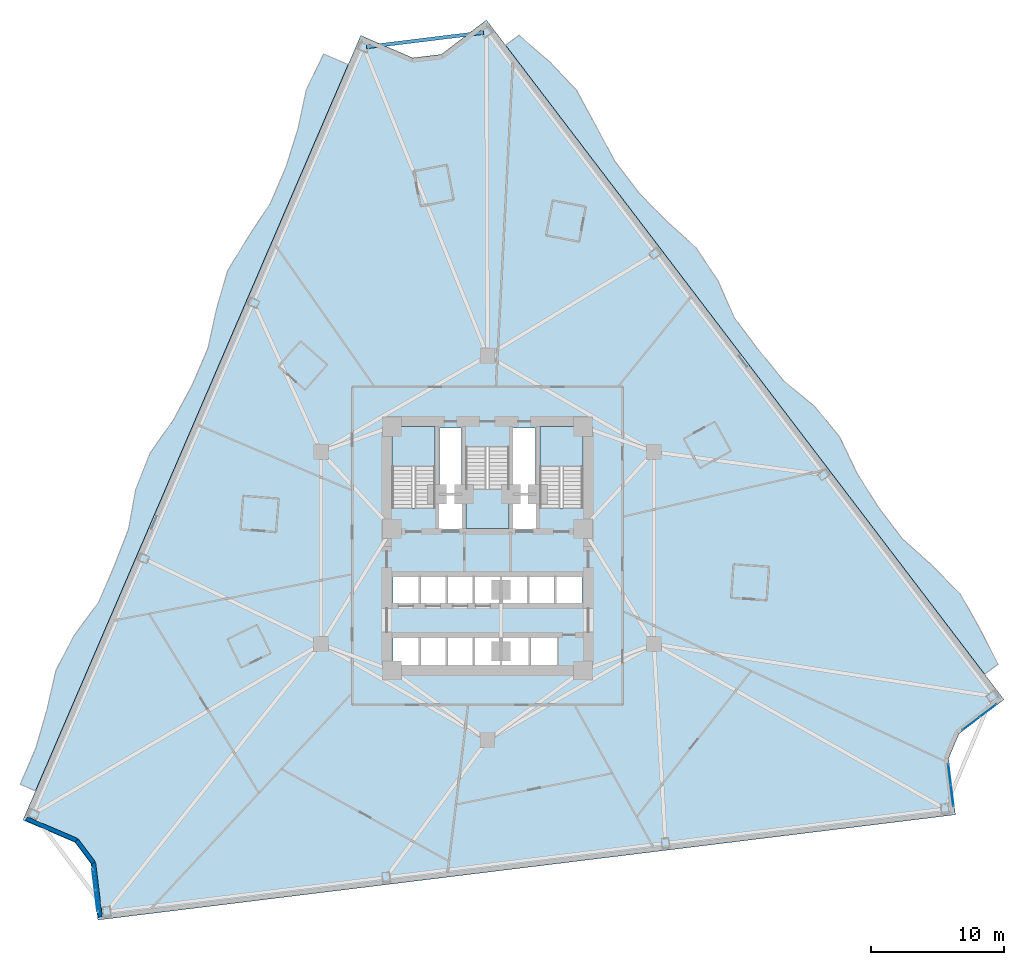
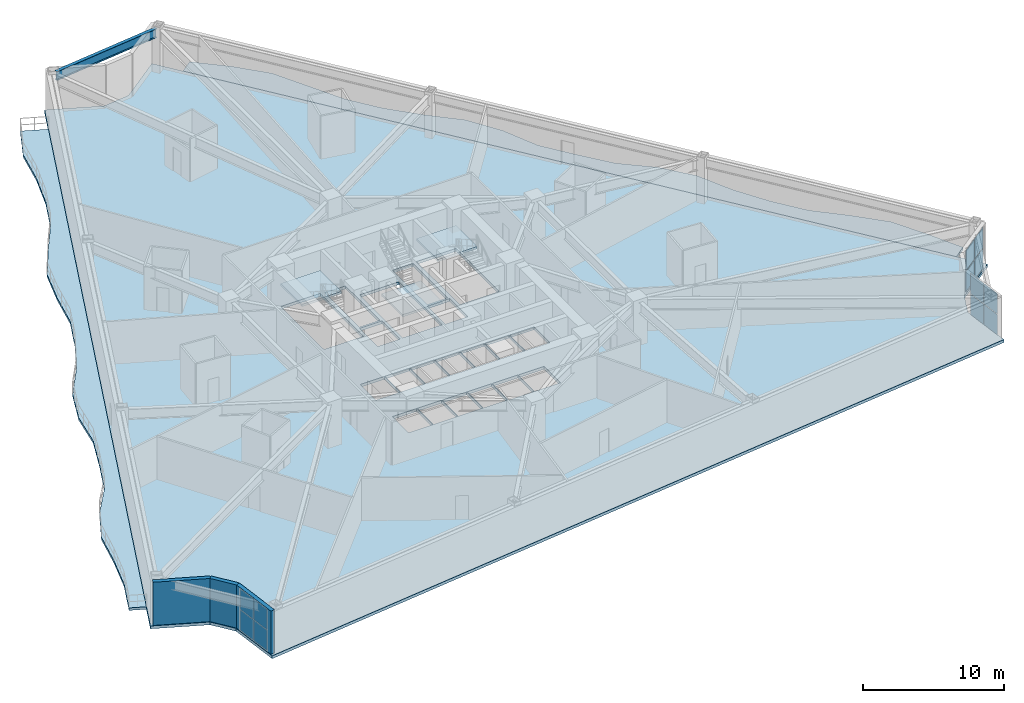
# One storey, part 5 of 14: 12 plates, 6 slabs, 3 walls, 1 beam, 6 elements without a shape of their own.
"""IFC4 building model written with IfcOpenShell, lengths in metres."""

from ifc_helpers import new_model, si_unit, direction, frame, frame_2d, origin, origin_2d, place, context, subcontext, project, spatial, polyline, rectangle, i_section, outline, extrude, material, layer, layer_set, material_profile, profile_set, type_object, element, aggregate, save


model = new_model("IFC4")

# Units and contexts
model_context = context("Model", 3, precision=1e-05, world=origin(), true_north=direction((0.0, 1.0)))
body_context = subcontext(model_context, "Body", "Model", "MODEL_VIEW")
ifc_project = project(units=[si_unit("LENGTHUNIT", "METRE"), si_unit("AREAUNIT", "SQUARE_METRE"), si_unit("VOLUMEUNIT", "CUBIC_METRE"), si_unit("PLANEANGLEUNIT", "RADIAN"), si_unit("MASSUNIT", "GRAM", prefix="KILO")], contexts=[model_context])

# Site, building, storey
site_placement = place(None, origin())
site = spatial("IfcSite", under=ifc_project, at=site_placement, CompositionType="ELEMENT")
building_placement = place(site_placement, origin())
building = spatial("IfcBuilding", under=site, at=building_placement, Name="Apsidion Concourse Tower", CompositionType="ELEMENT")
storey_placement = place(building_placement, frame((0.0, 0.0, 79.0)))
storey = spatial("IfcBuildingStorey", under=building, at=storey_placement, Name="L17", CompositionType="ELEMENT", Elevation=79.0)

# Beam
ifc_material_1 = material(Name="Structural steel ASTM A992 Grade 50", Category="steel")
ifc_material_profile = material_profile(ifc_material_1, i_section(OverallWidth=0.26806640625, OverallDepth=0.77001953125, WebThickness=0.015625, FlangeThickness=0.025390625, at=origin_2d()), Name="W30X132")
ifc_profile_set = profile_set([ifc_material_profile], Name="Structural steel ASTM A992 Grade 50")
beam_type = type_object("IfcBeamType", Name="BM-SP-W30", PredefinedType="SPANDREL", material=ifc_profile_set)
beam_placement = place(storey_placement, frame((-0.290771484375, 38.888427734375, 3.364990234375), z_axis=(-0.992547646047, -0.121857171831, 0.0), x_axis=(0.121857171831, -0.992547646047, 0.0)))
element("IfcBeam", 1, at=beam_placement, inside=storey, type_object=beam_type, Name="L17 Perimeter Spandrel Girder SP-12", PredefinedType="SPANDREL", context=body_context, shape_type="SweptSolid", body=[
    extrude(i_section(OverallWidth=0.26806640625, OverallDepth=0.77001953125, WebThickness=0.015625, FlangeThickness=0.025390625, at=origin_2d()), origin(), (0.0, 0.0, 1.0), 8.901611328125),
])

# Curtain wall, plates
ifc_material_2 = material(Name="Insulated laminated low-E glass", Category="glass")
ifc_layer_1 = layer(ifc_material_2, 0.219970703125)
ifc_layer_set_1 = layer_set([ifc_layer_1], Name="Insulated laminated low-E glass")
curtain_wall_type = type_object("IfcCurtainWallType", Name="CW-SYS-04", PredefinedType="NOTDEFINED", material=ifc_layer_set_1)
curtain_wall_1_placement = place(storey_placement, origin())
curtain_wall_1 = element("IfcCurtainWall", 2, at=curtain_wall_1_placement, inside=storey, type_object=curtain_wall_type, Name="L17 Corner Lounge Box Curtain Wall 2", PredefinedType="NOTDEFINED")
ifc_layer_2 = layer(ifc_material_2, 0.031982421875)
ifc_layer_set_2 = layer_set([ifc_layer_2], Name="Insulated laminated low-E glass")
plate_type = type_object("IfcPlateType", Name="CWP-GLZ-32", PredefinedType="CURTAIN_PANEL", material=ifc_layer_set_2)
plate_1_placement = place(storey_placement, frame((37.77685546875, -12.270263671875, 0.06494140625), z_axis=(0.0, 0.0, 1.0), x_axis=(-0.795556126473, -0.605879897035, 0.0)))
plate_1 = element("IfcPlate", 3, at=plate_1_placement, type_object=plate_type, Name="CW-04 panel 1.1", PredefinedType="CURTAIN_PANEL", context=body_context, shape_type="SweptSolid", body=[
    extrude(rectangle(XDim=1.5537109375, YDim=0.031982421875, at=origin_2d()), origin(), (0.0, 0.0, 1.0), 1.75244140625),
])
plate_2_placement = place(storey_placement, frame((37.77685546875, -12.270263671875, 1.882568359375), z_axis=(0.0, 0.0, 1.0), x_axis=(-0.795556126473, -0.605879897035, 0.0)))
plate_2 = element("IfcPlate", 4, at=plate_2_placement, type_object=plate_type, Name="CW-04 panel 1.2", PredefinedType="CURTAIN_PANEL", context=body_context, shape_type="SweptSolid", body=[
    extrude(rectangle(XDim=1.5537109375, YDim=0.031982421875, at=origin_2d()), origin(), (0.0, 0.0, 1.0), 1.75244140625),
])
plate_3_placement = place(storey_placement, frame((36.489013671875, -13.251220703125, 0.06494140625), z_axis=(0.0, 0.0, 1.0), x_axis=(-0.795556126473, -0.605879897035, 0.0)))
plate_3 = element("IfcPlate", 5, at=plate_3_placement, type_object=plate_type, Name="CW-04 panel 2.1", PredefinedType="CURTAIN_PANEL", context=body_context, shape_type="SweptSolid", body=[
    extrude(rectangle(XDim=1.5537109375, YDim=0.031982421875, at=origin_2d()), origin(), (0.0, 0.0, 1.0), 1.75244140625),
])
plate_4_placement = place(storey_placement, frame((36.489013671875, -13.251220703125, 1.882568359375), z_axis=(0.0, 0.0, 1.0), x_axis=(-0.795556126473, -0.605879897035, 0.0)))
plate_4 = element("IfcPlate", 6, at=plate_4_placement, type_object=plate_type, Name="CW-04 panel 2.2", PredefinedType="CURTAIN_PANEL", context=body_context, shape_type="SweptSolid", body=[
    extrude(rectangle(XDim=1.5537109375, YDim=0.031982421875, at=origin_2d()), origin(), (0.0, 0.0, 1.0), 1.75244140625),
])
aggregate(curtain_wall_1, [plate_1, plate_2, plate_3, plate_4])

curtain_wall_2_placement = place(storey_placement, origin())
curtain_wall_2 = element("IfcCurtainWall", 7, at=curtain_wall_2_placement, inside=storey, type_object=curtain_wall_type, Name="L17 Corner Lounge Box Curtain Wall 4", PredefinedType="NOTDEFINED")
plate_5_placement = place(storey_placement, frame((34.86962890625, -17.09326171875, 0.06494140625), z_axis=(0.0, 0.0, 1.0), x_axis=(0.121876648162, -0.992545254703, 0.0)))
plate_5 = element("IfcPlate", 8, at=plate_5_placement, type_object=plate_type, Name="CW-04 panel 1.1", PredefinedType="CURTAIN_PANEL", context=body_context, shape_type="SweptSolid", body=[
    extrude(rectangle(XDim=1.5537109375, YDim=0.031982421875, at=origin_2d()), origin(), (0.0, 0.0, 1.0), 1.75244140625),
])
plate_6_placement = place(storey_placement, frame((34.86962890625, -17.09326171875, 1.882568359375), z_axis=(0.0, 0.0, 1.0), x_axis=(0.121876648162, -0.992545254703, 0.0)))
plate_6 = element("IfcPlate", 9, at=plate_6_placement, type_object=plate_type, Name="CW-04 panel 1.2", PredefinedType="CURTAIN_PANEL", context=body_context, shape_type="SweptSolid", body=[
    extrude(rectangle(XDim=1.5537109375, YDim=0.031982421875, at=origin_2d()), origin(), (0.0, 0.0, 1.0), 1.75244140625),
])
plate_7_placement = place(storey_placement, frame((35.06689453125, -18.699951171875, 0.06494140625), z_axis=(0.0, 0.0, 1.0), x_axis=(0.121876648162, -0.992545254703, 0.0)))
plate_7 = element("IfcPlate", 10, at=plate_7_placement, type_object=plate_type, Name="CW-04 panel 2.1", PredefinedType="CURTAIN_PANEL", context=body_context, shape_type="SweptSolid", body=[
    extrude(rectangle(XDim=1.5537109375, YDim=0.031982421875, at=origin_2d()), origin(), (0.0, 0.0, 1.0), 1.75244140625),
])
plate_8_placement = place(storey_placement, frame((35.06689453125, -18.699951171875, 1.882568359375), z_axis=(0.0, 0.0, 1.0), x_axis=(0.121876648162, -0.992545254703, 0.0)))
plate_8 = element("IfcPlate", 11, at=plate_8_placement, type_object=plate_type, Name="CW-04 panel 2.2", PredefinedType="CURTAIN_PANEL", context=body_context, shape_type="SweptSolid", body=[
    extrude(rectangle(XDim=1.5537109375, YDim=0.031982421875, at=origin_2d()), origin(), (0.0, 0.0, 1.0), 1.75244140625),
])
aggregate(curtain_wall_2, [plate_5, plate_6, plate_7, plate_8])

curtain_wall_3_placement = place(storey_placement, origin())
curtain_wall_3 = element("IfcCurtainWall", 12, at=curtain_wall_3_placement, inside=storey, type_object=curtain_wall_type, Name="L17 Corner Lounge Box Curtain Wall 6", PredefinedType="NOTDEFINED")
plate_9_placement = place(storey_placement, frame((-29.50146484375, -26.6279296875, 0.06494140625), z_axis=(0.0, 0.0, 1.0), x_axis=(-0.121880311182, 0.992544804906, 0.0)))
plate_9 = element("IfcPlate", 13, at=plate_9_placement, type_object=plate_type, Name="CW-04 panel 1.1", PredefinedType="CURTAIN_PANEL", context=body_context, shape_type="SweptSolid", body=[
    extrude(rectangle(XDim=1.5537109375, YDim=0.031982421875, at=origin_2d()), origin(), (0.0, 0.0, 1.0), 1.75244140625),
])
plate_10_placement = place(storey_placement, frame((-29.50146484375, -26.6279296875, 1.882568359375), z_axis=(0.0, 0.0, 1.0), x_axis=(-0.121880311182, 0.992544804906, 0.0)))
plate_10 = element("IfcPlate", 14, at=plate_10_placement, type_object=plate_type, Name="CW-04 panel 1.2", PredefinedType="CURTAIN_PANEL", context=body_context, shape_type="SweptSolid", body=[
    extrude(rectangle(XDim=1.5537109375, YDim=0.031982421875, at=origin_2d()), origin(), (0.0, 0.0, 1.0), 1.75244140625),
])
plate_11_placement = place(storey_placement, frame((-29.69873046875, -25.021240234375, 0.06494140625), z_axis=(0.0, 0.0, 1.0), x_axis=(-0.121880311182, 0.992544804906, 0.0)))
plate_11 = element("IfcPlate", 15, at=plate_11_placement, type_object=plate_type, Name="CW-04 panel 2.1", PredefinedType="CURTAIN_PANEL", context=body_context, shape_type="SweptSolid", body=[
    extrude(rectangle(XDim=1.5537109375, YDim=0.031982421875, at=origin_2d()), origin(), (0.0, 0.0, 1.0), 1.75244140625),
])
plate_12_placement = place(storey_placement, frame((-29.69873046875, -25.021240234375, 1.882568359375), z_axis=(0.0, 0.0, 1.0), x_axis=(-0.121880311182, 0.992544804906, 0.0)))
plate_12 = element("IfcPlate", 16, at=plate_12_placement, type_object=plate_type, Name="CW-04 panel 2.2", PredefinedType="CURTAIN_PANEL", context=body_context, shape_type="SweptSolid", body=[
    extrude(rectangle(XDim=1.5537109375, YDim=0.031982421875, at=origin_2d()), origin(), (0.0, 0.0, 1.0), 1.75244140625),
])
aggregate(curtain_wall_3, [plate_9, plate_10, plate_11, plate_12])

# Slabs
ifc_material_3 = material(Name="Concrete C50/60", Category="concrete")
ifc_layer_3 = layer(ifc_material_3, 0.219970703125)
ifc_layer_set_3 = layer_set([ifc_layer_3], Name="Concrete C50/60")
slab_type_1 = type_object("IfcSlabType", Name="SL-BAL-220", PredefinedType="FLOOR", material=ifc_layer_set_3)
slab_1_placement = place(storey_placement, frame((0.0, 0.0, -0.219970703125)))
element("IfcSlab", 17, at=slab_1_placement, inside=storey, type_object=slab_type_1, Name="L17 Face 3 Rippling Balcony Slab", PredefinedType="FLOOR", context=body_context, shape_type="SweptSolid", body=[
    extrude(outline(polyline([(37.5224609375, -9.535400390625), (35.715087890625, -7.162353515625), (33.907958984375, -4.789306640625), (32.1005859375, -2.416015625), (30.29345703125, -0.04296875), (28.486083984375, 2.330078125), (26.6787109375, 4.703125), (24.87158203125, 7.076171875), (23.064208984375, 9.44921875), (21.2568359375, 11.822509765625), (19.44970703125, 14.195556640625), (17.642333984375, 16.568603515625), (15.835205078125, 18.941650390625), (14.02783203125, 21.314697265625), (12.220458984375, 23.687744140625), (10.4130859375, 26.060791015625), (8.60595703125, 28.43408203125), (6.798583984375, 30.80712890625), (4.991455078125, 33.18017578125), (3.18408203125, 35.55322265625), (1.376708984375, 37.926513671875), (2.371337890625, 38.68359375), (4.67431640625, 36.68798828125), (6.73779296875, 34.51025390625), (8.174072265625, 31.8544921875), (9.600341796875, 29.19140625), (11.40771484375, 26.818359375), (13.502197265625, 24.663818359375), (15.754150390625, 22.62939453125), (17.4033203125, 20.135986328125), (18.642822265625, 17.33056640625), (20.444091796875, 14.952880859375), (22.3212890625, 12.633056640625), (24.68212890625, 10.681396484375), (26.572509765625, 8.37158203125), (27.89111328125, 5.62646484375), (29.48046875, 3.08740234375), (31.287841796875, 0.71435546875), (33.541259765625, -1.319091796875), (35.658203125, -3.456298828125), (37.14306640625, -6.074951171875), (38.516845703125, -8.778076171875), (37.5224609375, -9.535400390625)])), origin(), (0.0, 0.0, 1.0), 0.219970703125),
])
slab_2_placement = place(storey_placement, frame((0.0, 0.0, -0.219970703125)))
element("IfcSlab", 18, at=slab_2_placement, inside=storey, type_object=slab_type_1, Name="L17 Face 1 Rippling Balcony Slab", PredefinedType="FLOOR", context=body_context, shape_type="SweptSolid", body=[
    extrude(outline(polyline([(-10.510986328125, 36.466796875), (-11.690673828125, 33.726806640625), (-12.8701171875, 30.987060546875), (-14.049560546875, 28.247314453125), (-15.22900390625, 25.50732421875), (-16.40869140625, 22.767578125), (-17.588134765625, 20.02783203125), (-18.767578125, 17.2880859375), (-19.947021484375, 14.548095703125), (-21.126708984375, 11.808349609375), (-22.30615234375, 9.068603515625), (-23.485595703125, 6.32861328125), (-24.6650390625, 3.5888671875), (-25.844482421875, 0.84912109375), (-27.024169921875, -1.890869140625), (-28.20361328125, -4.630615234375), (-29.383056640625, -7.370361328125), (-30.5625, -10.110107421875), (-31.7421875, -12.85009765625), (-32.921630859375, -15.58984375), (-34.10107421875, -18.32958984375), (-35.249267578125, -17.83544921875), (-34.069580078125, -15.095703125), (-33.23779296875, -12.206298828125), (-32.560302734375, -9.250244140625), (-31.181396484375, -6.59619140625), (-29.351806640625, -4.13623046875), (-28.172119140625, -1.396484375), (-27.088623046875, 1.384521484375), (-26.54345703125, 4.3974609375), (-25.4423828125, 7.171142578125), (-23.689697265625, 9.664306640625), (-22.274658203125, 12.302490234375), (-21.09521484375, 15.04248046875), (-20.4453125, 18.01025390625), (-19.6083984375, 20.8974609375), (-18.0419921875, 23.470703125), (-16.377197265625, 26.001708984375), (-15.19775390625, 28.741455078125), (-14.3017578125, 31.603515625), (-13.66748046875, 34.577880859375), (-12.35693359375, 37.26123046875), (-10.510986328125, 36.466796875)])), origin(), (0.0, 0.0, 1.0), 0.219970703125),
])
ifc_layer_4 = layer(ifc_material_3, 0.25)
ifc_layer_set_4 = layer_set([ifc_layer_4], Name="Concrete C50/60")
slab_type_2 = type_object("IfcSlabType", Name="SL-FLR-250", PredefinedType="FLOOR", material=ifc_layer_set_4)
slab_3_placement = place(storey_placement, frame((0.0, 0.0, -0.25)))
element("IfcSlab", 19, at=slab_3_placement, inside=storey, type_object=slab_type_2, Name="L17 Structural Floor Slab", PredefinedType="FLOOR", context=body_context, shape_type="SweptSolid", body=[
    extrude(outline(polyline([(-0.077392578125, 39.835693359375), (-3.478271484375, 37.24560546875), (-5.6357421875, 36.980712890625), (-9.56201171875, 38.671142578125), (-35.050048828125, -20.5341796875), (-31.123779296875, -22.224365234375), (-29.914794921875, -23.83740234375), (-29.393798828125, -28.080078125), (35.313720703125, -20.13525390625), (34.792724609375, -15.89208984375), (35.57568359375, -14.03466796875), (38.9765625, -11.444580078125), (-0.077392578125, 39.835693359375)]), holes=[polyline([(-3.949951171875, 3.0), (-3.949951171875, 9.14990234375), (-7.199951171875, 9.14990234375), (-7.199951171875, 3.0), (-3.949951171875, 3.0)]), polyline([(7.199951171875, 3.0), (7.199951171875, 9.14990234375), (3.949951171875, 9.14990234375), (3.949951171875, 3.0), (7.199951171875, 3.0)]), polyline([(-1.625, 7.60009765625), (-1.625, 1.449951171875), (1.625, 1.449951171875), (1.625, 7.60009765625), (-1.625, 7.60009765625)]), polyline([(-7.14501953125, -4.300048828125), (-5.155029296875, -4.300048828125), (-5.155029296875, -2.050048828125), (-7.14501953125, -2.050048828125), (-7.14501953125, -4.300048828125)]), polyline([(-5.094970703125, -4.300048828125), (-3.10498046875, -4.300048828125), (-3.10498046875, -2.050048828125), (-5.094970703125, -2.050048828125), (-5.094970703125, -4.300048828125)]), polyline([(-3.044921875, -4.300048828125), (-1.054931640625, -4.300048828125), (-1.054931640625, -2.050048828125), (-3.044921875, -2.050048828125), (-3.044921875, -4.300048828125)]), polyline([(-0.9951171875, -4.300048828125), (0.9951171875, -4.300048828125), (0.9951171875, -2.050048828125), (-0.9951171875, -2.050048828125), (-0.9951171875, -4.300048828125)]), polyline([(1.054931640625, -4.300048828125), (3.044921875, -4.300048828125), (3.044921875, -2.050048828125), (1.054931640625, -2.050048828125), (1.054931640625, -4.300048828125)]), polyline([(3.10498046875, -4.300048828125), (5.094970703125, -4.300048828125), (5.094970703125, -2.050048828125), (3.10498046875, -2.050048828125), (3.10498046875, -4.300048828125)]), polyline([(5.155029296875, -4.300048828125), (7.14501953125, -4.300048828125), (7.14501953125, -2.050048828125), (5.155029296875, -2.050048828125), (5.155029296875, -4.300048828125)]), polyline([(-7.14501953125, -8.949951171875), (-5.155029296875, -8.949951171875), (-5.155029296875, -6.64990234375), (-7.14501953125, -6.64990234375), (-7.14501953125, -8.949951171875)]), polyline([(-5.094970703125, -8.949951171875), (-3.10498046875, -8.949951171875), (-3.10498046875, -6.64990234375), (-5.094970703125, -6.64990234375), (-5.094970703125, -8.949951171875)]), polyline([(-3.044921875, -8.949951171875), (-1.054931640625, -8.949951171875), (-1.054931640625, -6.64990234375), (-3.044921875, -6.64990234375), (-3.044921875, -8.949951171875)]), polyline([(-0.9951171875, -8.949951171875), (0.9951171875, -8.949951171875), (0.9951171875, -6.64990234375), (-0.9951171875, -6.64990234375), (-0.9951171875, -8.949951171875)]), polyline([(1.044921875, -9.0), (3.155029296875, -9.0), (3.155029296875, -6.64990234375), (1.044921875, -6.64990234375), (1.044921875, -9.0)]), polyline([(3.195068359375, -9.0), (5.304931640625, -9.0), (5.304931640625, -6.64990234375), (3.195068359375, -6.64990234375), (3.195068359375, -9.0)]), polyline([(-3.7099609375, 1.39990234375), (-1.85009765625, 1.39990234375), (-1.85009765625, 4.0), (-3.7099609375, 4.0), (-3.7099609375, 1.39990234375)]), polyline([(1.85009765625, 1.39990234375), (3.7099609375, 1.39990234375), (3.7099609375, 4.0), (1.85009765625, 4.0), (1.85009765625, 1.39990234375)]), polyline([(-3.6201171875, 4.14990234375), (-1.93994140625, 4.14990234375), (-1.93994140625, 9.050048828125), (-3.6201171875, 9.050048828125), (-3.6201171875, 4.14990234375)]), polyline([(1.93994140625, 4.14990234375), (3.6201171875, 4.14990234375), (3.6201171875, 9.050048828125), (1.93994140625, 9.050048828125), (1.93994140625, 4.14990234375)])]), origin(), (0.0, 0.0, 1.0), 0.25),
])

# Stair, slab
ifc_material_4 = material(Name="Precast concrete C40/50", Category="concrete")
stair_type = type_object("IfcStairType", Name="ST-DL-1550", PredefinedType="HALF_TURN_STAIR", material=ifc_material_4)
stair_1_placement = place(storey_placement, origin())
stair_1 = element("IfcStair", 20, at=stair_1_placement, inside=storey, type_object=stair_type, Name="L17 Protected Core Exit Stair ST1", PredefinedType="HALF_TURN_STAIR")
ifc_layer_5 = layer(ifc_material_3, 0.199951171875)
ifc_layer_set_5 = layer_set([ifc_layer_5], Name="Concrete C50/60")
slab_type_3 = type_object("IfcSlabType", Name="SL-ST-LAND-200", PredefinedType="LANDING", material=ifc_layer_set_5)
slab_4_placement = place(storey_placement, frame((0.0, 0.0, 1.800048828125)))
slab_4 = element("IfcSlab", 21, at=slab_4_placement, type_object=slab_type_3, Name="ST1 landing 1", PredefinedType="LANDING", context=body_context, shape_type="SweptSolid", body=[
    extrude(outline(polyline([(-3.949951171875, 6.135009765625), (-3.949951171875, 9.14990234375), (-7.199951171875, 9.14990234375), (-7.199951171875, 6.135009765625), (-3.949951171875, 6.135009765625)])), origin(), (0.0, 0.0, 1.0), 0.199951171875),
])
aggregate(stair_1, [slab_4])

stair_2_placement = place(storey_placement, origin())
stair_2 = element("IfcStair", 22, at=stair_2_placement, inside=storey, type_object=stair_type, Name="L17 Protected Core Exit Stair ST2", PredefinedType="HALF_TURN_STAIR")
slab_5_placement = place(storey_placement, frame((0.0, 0.0, 1.800048828125)))
slab_5 = element("IfcSlab", 23, at=slab_5_placement, type_object=slab_type_3, Name="ST2 landing 1", PredefinedType="LANDING", context=body_context, shape_type="SweptSolid", body=[
    extrude(outline(polyline([(7.199951171875, 6.135009765625), (7.199951171875, 9.14990234375), (3.949951171875, 9.14990234375), (3.949951171875, 6.135009765625), (7.199951171875, 6.135009765625)])), origin(), (0.0, 0.0, 1.0), 0.199951171875),
])
aggregate(stair_2, [slab_5])

stair_3_placement = place(storey_placement, origin())
stair_3 = element("IfcStair", 24, at=stair_3_placement, inside=storey, type_object=stair_type, Name="L17 Protected Core Exit Stair ST3", PredefinedType="HALF_TURN_STAIR")
slab_6_placement = place(storey_placement, frame((0.0, 0.0, 1.800048828125)))
slab_6 = element("IfcSlab", 25, at=slab_6_placement, type_object=slab_type_3, Name="ST3 landing 1", PredefinedType="LANDING", context=body_context, shape_type="SweptSolid", body=[
    extrude(outline(polyline([(-1.625, 4.465087890625), (-1.625, 1.449951171875), (1.625, 1.449951171875), (1.625, 4.465087890625), (-1.625, 4.465087890625)])), origin(), (0.0, 0.0, 1.0), 0.199951171875),
])
aggregate(stair_3, [slab_6])

# Walls
ifc_layer_6 = layer(ifc_material_4, 0.320068359375)
ifc_layer_set_6 = layer_set([ifc_layer_6], Name="Precast concrete C40/50")
wall_type = type_object("IfcWallType", Name="WL-EXT-320", PredefinedType="STANDARD", material=ifc_layer_set_6)
wall_1_placement = place(storey_placement, frame((-29.219482421875, -27.857421875, 0.0), z_axis=(0.0, 0.0, 1.0), x_axis=(-0.121887213021, 0.992543957365, 0.0)))
element("IfcWall", 26, at=wall_1_placement, inside=storey, type_object=wall_type, Name="L17 Precast Stone Facade Wall 06", PredefinedType="STANDARD", context=body_context, shape_type="SweptSolid", body=[
    extrude(rectangle(XDim=4.128173828125, YDim=0.320068359375, at=frame_2d((2.06396484375, 0.0))), origin(), (0.0, 0.0, 1.0), 3.75),
])
wall_2_placement = place(storey_placement, frame((-29.72265625, -23.760009765625, 0.0), z_axis=(0.0, 0.0, 1.0), x_axis=(-0.59977911486, 0.800165616218, 0.0)))
element("IfcWall", 27, at=wall_2_placement, inside=storey, type_object=wall_type, Name="L17 Precast Stone Facade Wall 07", PredefinedType="STANDARD", context=body_context, shape_type="SweptSolid", body=[
    extrude(rectangle(XDim=2.122314453125, YDim=0.320068359375, at=frame_2d((1.06103515625, 0.0))), origin(), (0.0, 0.0, 1.0), 3.75),
])
wall_3_placement = place(storey_placement, frame((-30.99560546875, -22.061767578125, 0.0), z_axis=(0.0, 0.0, 1.0), x_axis=(-0.918504494871, 0.395410537165, 0.0)))
element("IfcWall", 28, at=wall_3_placement, inside=storey, type_object=wall_type, Name="L17 Precast Stone Facade Wall 08", PredefinedType="STANDARD", context=body_context, shape_type="SweptSolid", body=[
    extrude(rectangle(XDim=4.128173828125, YDim=0.320068359375, at=frame_2d((2.06396484375, 0.0))), origin(), (0.0, 0.0, 1.0), 3.75),
])

save(model, "model.ifc")
